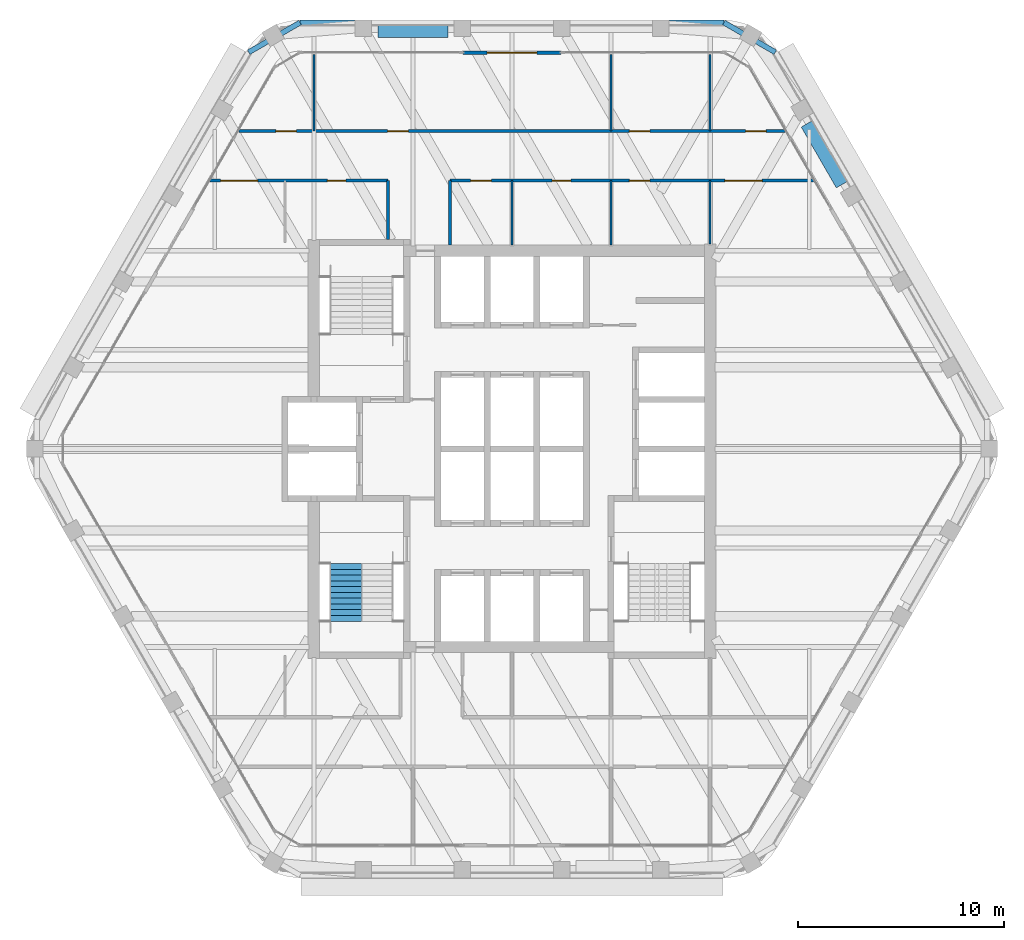
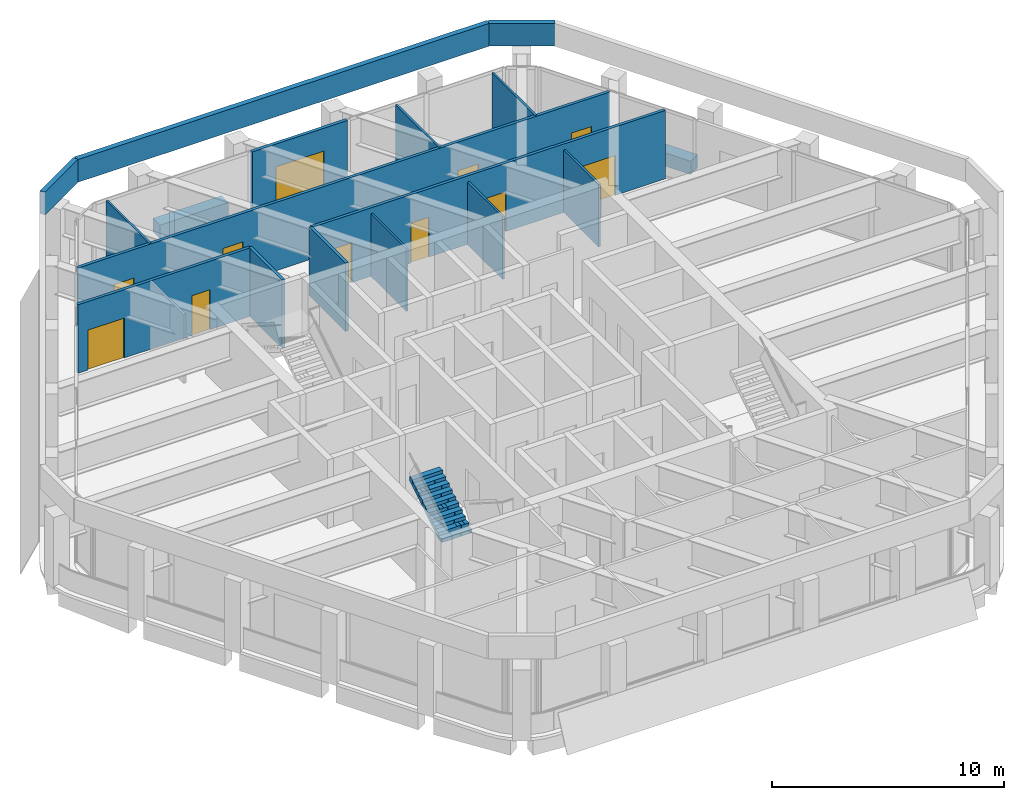
# One storey, part 10 of 14: 17 walls, 11 doors, 1 stair flight, 11 openings, 1 element without a shape of its own.
"""IFC4 building model written with IfcOpenShell, lengths in metres."""

from ifc_helpers import new_model, si_unit, direction, frame, frame_2d, origin, place, context, subcontext, project, spatial, polyline, rectangle, outline, extrude, material, layer, layer_set, type_object, element, fill, aggregate, save


model = new_model("IFC4")

# Units and contexts
model_context = context("Model", 3, precision=1e-05, world=origin(), true_north=direction((0.0, 1.0)))
body_context = subcontext(model_context, "Body", "Model", "MODEL_VIEW")
ifc_project = project(units=[si_unit("LENGTHUNIT", "METRE"), si_unit("AREAUNIT", "SQUARE_METRE"), si_unit("VOLUMEUNIT", "CUBIC_METRE"), si_unit("PLANEANGLEUNIT", "RADIAN"), si_unit("MASSUNIT", "GRAM", prefix="KILO")], contexts=[model_context])

# Site, building, storey
site_placement = place(None, origin())
site = spatial("IfcSite", under=ifc_project, at=site_placement, CompositionType="ELEMENT")
building_placement = place(site_placement, origin())
building = spatial("IfcBuilding", under=site, at=building_placement, Name="Kolab Exchange Tower", CompositionType="ELEMENT")
storey_placement = place(building_placement, frame((0.0, 0.0, 293.0)))
storey = spatial("IfcBuildingStorey", under=building, at=storey_placement, Name="L66", CompositionType="ELEMENT", Elevation=293.0)

# Wall, opening, door
ifc_material_1 = material(Name="Aluminium EN AW-6063 T6", Category="aluminium")
ifc_layer_1 = layer(ifc_material_1, 0.159912109375)
ifc_layer_set_1 = layer_set([ifc_layer_1], Name="Aluminium EN AW-6063 T6")
wall_type_1 = type_object("IfcWallType", Name="DOOR SURROUND WALL 160 ALUMINIUM FRAMED", PredefinedType="PARTITIONING", material=ifc_layer_set_1)
wall_1_placement = place(storey_placement, frame((-2.3701171875, 19.20458984375, 0.0), z_axis=(0.0, 0.0, 1.0), x_axis=(1.0, 0.0, 0.0)))
wall_1 = element("IfcWall", 1, at=wall_1_placement, inside=storey, type_object=wall_type_1, Name="Door surround wall", PredefinedType="PARTITIONING", context=body_context, shape_type="SweptSolid", body=[
    extrude(rectangle(XDim=4.740234375, YDim=0.159912109375, at=frame_2d((2.3701171875, 0.0))), origin(), (0.0, 0.0, 1.0), 3.60009765625),
])
opening_1_placement = place(wall_1_placement, frame((1.169921875, 0.0, 0.0)))
opening_1 = element("IfcOpeningElement", 2, at=opening_1_placement, cuts=wall_1, Name="Opening GD1-098", PredefinedType="OPENING", context=body_context, shape_type="SweptSolid", body=[
    extrude(rectangle(XDim=2.39990234375, YDim=2.39990234375, at=frame_2d((1.199951171875, 1.199951171875))), frame((0.0, 0.08984375, 0.0), z_axis=(0.0, -1.0, 0.0), x_axis=(1.0, 0.0, 0.0)), (0.0, 0.0, 1.0), 0.179931640625),
])
door_type_1 = type_object("IfcDoorType", Name="LOGGIA SLIDING GLASS DOOR 2400 X 2400", OperationType="DOUBLE_DOOR_SINGLE_SWING", PredefinedType="DOOR", material=ifc_material_1)
door_1_placement = place(opening_1_placement, origin())
door_1 = element("IfcDoor", 3, at=door_1_placement, inside=storey, type_object=door_type_1, Name="Loggia door", OperationType="DOUBLE_DOOR_SLIDING", OverallHeight=2.39990234375, OverallWidth=2.39990234375, PredefinedType="DOOR", context=body_context, shape_type="SweptSolid", body=[
    extrude(rectangle(XDim=2.39990234375, YDim=2.39990234375, at=frame_2d((1.199951171875, 1.199951171875))), frame((0.0, 0.02490234375, 0.0), z_axis=(0.0, -1.0, 0.0), x_axis=(1.0, 0.0, 0.0)), (0.0, 0.0, 1.0), 0.050048828125),
])
fill(opening_1, door_1)

# Walls
ifc_material_2 = material(Name="Gypsum board", Category="gypsum")
ifc_layer_2 = layer(ifc_material_2, 0.10009765625)
ifc_layer_set_2 = layer_set([ifc_layer_2], Name="Gypsum board")
wall_type_2 = type_object("IfcWallType", Name="PARTITION 100", PredefinedType="PARTITIONING", material=ifc_layer_set_2)
wall_2_placement = place(storey_placement, frame((9.60009765625, 9.925048828125, 0.0), z_axis=(0.0, 0.0, 1.0), x_axis=(0.0, 1.0, 0.0)))
element("IfcWall", 4, at=wall_2_placement, inside=storey, type_object=wall_type_2, Name="Partition 002", PredefinedType="PARTITIONING", context=body_context, shape_type="SweptSolid", body=[
    extrude(rectangle(XDim=3.074951171875, YDim=0.10009765625, at=frame_2d((1.53759765625, 0.0))), origin(), (0.0, 0.0, 1.0), 3.2900390625),
])
wall_3_placement = place(storey_placement, frame((9.60009765625, 15.39990234375, 0.0), z_axis=(0.0, 0.0, 1.0), x_axis=(0.0, 1.0, 0.0)))
element("IfcWall", 5, at=wall_3_placement, inside=storey, type_object=wall_type_2, Name="Partition 003", PredefinedType="PARTITIONING", context=body_context, shape_type="SweptSolid", body=[
    extrude(rectangle(XDim=3.714599609375, YDim=0.10009765625, at=frame_2d((1.857421875, 0.0))), origin(), (0.0, 0.0, 1.0), 3.60009765625),
])
wall_4_placement = place(storey_placement, frame((4.800048828125, 9.875, 0.0), z_axis=(0.0, 0.0, 1.0), x_axis=(0.0, 1.0, 0.0)))
element("IfcWall", 6, at=wall_4_placement, inside=storey, type_object=wall_type_2, Name="Partition 006", PredefinedType="PARTITIONING", context=body_context, shape_type="SweptSolid", body=[
    extrude(rectangle(XDim=3.125, YDim=0.10009765625, at=frame_2d((1.5625, 0.0))), origin(), (0.0, 0.0, 1.0), 3.2900390625),
])
wall_5_placement = place(storey_placement, frame((4.800048828125, 15.39990234375, 0.0), z_axis=(0.0, 0.0, 1.0), x_axis=(0.0, 1.0, 0.0)))
element("IfcWall", 7, at=wall_5_placement, inside=storey, type_object=wall_type_2, Name="Partition 007", PredefinedType="PARTITIONING", context=body_context, shape_type="SweptSolid", body=[
    extrude(rectangle(XDim=3.714599609375, YDim=0.10009765625, at=frame_2d((1.857421875, 0.0))), origin(), (0.0, 0.0, 1.0), 3.60009765625),
])
wall_6_placement = place(storey_placement, frame((0.0, 9.875, 0.0), z_axis=(0.0, 0.0, 1.0), x_axis=(0.0, 1.0, 0.0)))
element("IfcWall", 8, at=wall_6_placement, inside=storey, type_object=wall_type_2, Name="Partition 009", PredefinedType="PARTITIONING", context=body_context, shape_type="SweptSolid", body=[
    extrude(rectangle(XDim=3.125, YDim=0.10009765625, at=frame_2d((1.5625, 0.0))), origin(), (0.0, 0.0, 1.0), 3.2900390625),
])
wall_7_placement = place(storey_placement, frame((-9.60009765625, 15.39990234375, 0.0), z_axis=(0.0, 0.0, 1.0), x_axis=(0.0, 1.0, 0.0)))
element("IfcWall", 9, at=wall_7_placement, inside=storey, type_object=wall_type_2, Name="Partition 015", PredefinedType="PARTITIONING", context=body_context, shape_type="SweptSolid", body=[
    extrude(rectangle(XDim=3.714599609375, YDim=0.10009765625, at=frame_2d((1.857421875, 0.0))), origin(), (0.0, 0.0, 1.0), 3.60009765625),
])
ifc_layer_3 = layer(ifc_material_2, 0.14990234375)
ifc_layer_set_3 = layer_set([ifc_layer_3], Name="Gypsum board")
wall_type_3 = type_object("IfcWallType", Name="PARTITION 150 FIRE-RATED", PredefinedType="PARTITIONING", material=ifc_layer_set_3)
wall_8_placement = place(storey_placement, frame((-3.0, 9.875, 0.0), z_axis=(0.0, 0.0, 1.0), x_axis=(0.0, 1.0, 0.0)))
element("IfcWall", 10, at=wall_8_placement, inside=storey, type_object=wall_type_3, Name="Partition 011", PredefinedType="PARTITIONING", context=body_context, shape_type="SweptSolid", body=[
    extrude(rectangle(XDim=3.125, YDim=0.14990234375, at=frame_2d((1.5625, 0.0))), origin(), (0.0, 0.0, 1.0), 3.60009765625),
])
wall_9_placement = place(storey_placement, frame((-6.0, 10.14990234375, 0.0), z_axis=(0.0, 0.0, 1.0), x_axis=(0.0, 1.0, 0.0)))
element("IfcWall", 11, at=wall_9_placement, inside=storey, type_object=wall_type_3, Name="Partition 014", PredefinedType="PARTITIONING", context=body_context, shape_type="SweptSolid", body=[
    extrude(rectangle(XDim=2.85009765625, YDim=0.14990234375, at=frame_2d((1.425048828125, 0.0))), origin(), (0.0, 0.0, 1.0), 3.60009765625),
])

# Wall, openings, doors
wall_10_placement = place(storey_placement, frame((-14.623779296875, 13.0, 0.0), z_axis=(0.0, 0.0, 1.0), x_axis=(1.0, 0.0, 0.0)))
wall_10 = element("IfcWall", 12, at=wall_10_placement, inside=storey, type_object=wall_type_3, Name="Partition 023", PredefinedType="PARTITIONING", context=body_context, shape_type="SweptSolid", body=[
    extrude(rectangle(XDim=8.623779296875, YDim=0.14990234375, at=frame_2d((4.31201171875, 0.0))), origin(), (0.0, 0.0, 1.0), 3.60009765625),
])
opening_2_placement = place(wall_10_placement, frame((5.673828125, 0.0, 0.0)))
opening_2 = element("IfcOpeningElement", 13, at=opening_2_placement, cuts=wall_10, Name="Opening D3-096", PredefinedType="OPENING", context=body_context, shape_type="SweptSolid", body=[
    extrude(rectangle(XDim=0.89990234375, YDim=2.10009765625, at=frame_2d((0.449951171875, 1.050048828125))), frame((0.0, 0.0849609375, 0.0), z_axis=(0.0, -1.0, 0.0), x_axis=(1.0, 0.0, 0.0)), (0.0, 0.0, 1.0), 0.169921875),
])
opening_3_placement = place(wall_10_placement, frame((0.501953125, 0.0, 0.0)))
opening_3 = element("IfcOpeningElement", 14, at=opening_3_placement, cuts=wall_10, Name="Opening D2-081", PredefinedType="OPENING", context=body_context, shape_type="SweptSolid", body=[
    extrude(rectangle(XDim=1.800048828125, YDim=2.10009765625, at=frame_2d((0.89990234375, 1.050048828125))), frame((0.0, 0.0849609375, 0.0), z_axis=(0.0, -1.0, 0.0), x_axis=(1.0, 0.0, 0.0)), (0.0, 0.0, 1.0), 0.169921875),
])
ifc_material_3 = material(Name="Steel S235", Category="steel")
door_type_2 = type_object("IfcDoorType", Name="DOUBLE DOOR 1800 FD60", OperationType="DOUBLE_DOOR_SINGLE_SWING", PredefinedType="DOOR", material=ifc_material_3)
door_2_placement = place(opening_3_placement, frame((1.800048828125, 0.0, 0.0), z_axis=(0.0, 0.0, 1.0), x_axis=(-1.0, 0.0, 0.0)))
door_2 = element("IfcDoor", 15, at=door_2_placement, inside=storey, type_object=door_type_2, Name="Door L66-048", OperationType="SINGLE_SWING_LEFT", OverallHeight=2.10009765625, OverallWidth=1.800048828125, PredefinedType="DOOR", context=body_context, shape_type="SweptSolid", body=[
    extrude(rectangle(XDim=1.800048828125, YDim=2.10009765625, at=frame_2d((0.89990234375, 1.050048828125))), frame((0.0, 0.02490234375, 0.0), z_axis=(0.0, -1.0, 0.0), x_axis=(1.0, 0.0, 0.0)), (0.0, 0.0, 1.0), 0.050048828125),
])
fill(opening_3, door_2)
door_type_3 = type_object("IfcDoorType", Name="FLUSH DOOR 900 FD60", OperationType="SINGLE_SWING_LEFT", PredefinedType="DOOR", material=ifc_material_3)
door_3_placement = place(opening_2_placement, frame((0.89990234375, 0.0, 0.0), z_axis=(0.0, 0.0, 1.0), x_axis=(-1.0, 0.0, 0.0)))
door_3 = element("IfcDoor", 16, at=door_3_placement, inside=storey, type_object=door_type_3, Name="Door L66-034", OperationType="SINGLE_SWING_LEFT", OverallHeight=2.10009765625, OverallWidth=0.89990234375, PredefinedType="DOOR", context=body_context, shape_type="SweptSolid", body=[
    extrude(rectangle(XDim=0.89990234375, YDim=2.10009765625, at=frame_2d((0.449951171875, 1.050048828125))), frame((0.0, 0.02490234375, 0.0), z_axis=(0.0, -1.0, 0.0), x_axis=(1.0, 0.0, 0.0)), (0.0, 0.0, 1.0), 0.050048828125),
])
fill(opening_2, door_3)

wall_11_placement = place(storey_placement, frame((-3.0, 13.0, 0.0), z_axis=(0.0, 0.0, 1.0), x_axis=(1.0, 0.0, 0.0)))
wall_11 = element("IfcWall", 17, at=wall_11_placement, inside=storey, type_object=wall_type_3, Name="Partition 024", PredefinedType="PARTITIONING", context=body_context, shape_type="SweptSolid", body=[
    extrude(rectangle(XDim=17.623779296875, YDim=0.14990234375, at=frame_2d((8.81201171875, 0.0))), origin(), (0.0, 0.0, 1.0), 3.60009765625),
])
opening_4_placement = place(wall_11_placement, frame((1.0, 0.0, 0.0)))
opening_4 = element("IfcOpeningElement", 18, at=opening_4_placement, cuts=wall_11, Name="Opening D1-767", PredefinedType="OPENING", context=body_context, shape_type="SweptSolid", body=[
    extrude(rectangle(XDim=1.0, YDim=2.10009765625, at=frame_2d((0.5, 1.050048828125))), frame((0.0, 0.0849609375, 0.0), z_axis=(0.0, -1.0, 0.0), x_axis=(1.0, 0.0, 0.0)), (0.0, 0.0, 1.0), 0.169921875),
])
opening_5_placement = place(wall_11_placement, frame((4.949951171875, 0.0, 0.0)))
opening_5 = element("IfcOpeningElement", 19, at=opening_5_placement, cuts=wall_11, Name="Opening D3-095", PredefinedType="OPENING", context=body_context, shape_type="SweptSolid", body=[
    extrude(rectangle(XDim=0.89990234375, YDim=2.10009765625, at=frame_2d((0.449951171875, 1.050048828125))), frame((0.0, 0.0849609375, 0.0), z_axis=(0.0, -1.0, 0.0), x_axis=(1.0, 0.0, 0.0)), (0.0, 0.0, 1.0), 0.169921875),
])
opening_6_placement = place(wall_11_placement, frame((8.68505859375, 0.0, 0.0)))
opening_6 = element("IfcOpeningElement", 20, at=opening_6_placement, cuts=wall_11, Name="Opening D1-768", PredefinedType="OPENING", context=body_context, shape_type="SweptSolid", body=[
    extrude(rectangle(XDim=1.0, YDim=2.10009765625, at=frame_2d((0.5, 1.050048828125))), frame((0.0, 0.0849609375, 0.0), z_axis=(0.0, -1.0, 0.0), x_axis=(1.0, 0.0, 0.0)), (0.0, 0.0, 1.0), 0.169921875),
])
opening_7_placement = place(wall_11_placement, frame((13.314453125, 0.0, 0.0)))
opening_7 = element("IfcOpeningElement", 21, at=opening_7_placement, cuts=wall_11, Name="Opening D2-080", PredefinedType="OPENING", context=body_context, shape_type="SweptSolid", body=[
    extrude(rectangle(XDim=1.800048828125, YDim=2.10009765625, at=frame_2d((0.89990234375, 1.050048828125))), frame((0.0, 0.0849609375, 0.0), z_axis=(0.0, -1.0, 0.0), x_axis=(1.0, 0.0, 0.0)), (0.0, 0.0, 1.0), 0.169921875),
])
door_4_placement = place(opening_7_placement, frame((1.800048828125, 0.0, 0.0), z_axis=(0.0, 0.0, 1.0), x_axis=(-1.0, 0.0, 0.0)))
door_4 = element("IfcDoor", 22, at=door_4_placement, inside=storey, type_object=door_type_2, Name="Door L66-047", OperationType="SINGLE_SWING_LEFT", OverallHeight=2.10009765625, OverallWidth=1.800048828125, PredefinedType="DOOR", context=body_context, shape_type="SweptSolid", body=[
    extrude(rectangle(XDim=1.800048828125, YDim=2.10009765625, at=frame_2d((0.89990234375, 1.050048828125))), frame((0.0, 0.02490234375, 0.0), z_axis=(0.0, -1.0, 0.0), x_axis=(1.0, 0.0, 0.0)), (0.0, 0.0, 1.0), 0.050048828125),
])
fill(opening_7, door_4)
door_type_4 = type_object("IfcDoorType", Name="FLUSH DOOR 1000 FD60", OperationType="SINGLE_SWING_LEFT", PredefinedType="DOOR", material=ifc_material_3)
door_5_placement = place(opening_4_placement, frame((1.0, 0.0, 0.0), z_axis=(0.0, 0.0, 1.0), x_axis=(-1.0, 0.0, 0.0)))
door_5 = element("IfcDoor", 23, at=door_5_placement, inside=storey, type_object=door_type_4, Name="Door L66-031", OperationType="SINGLE_SWING_LEFT", OverallHeight=2.10009765625, OverallWidth=1.0, PredefinedType="DOOR", context=body_context, shape_type="SweptSolid", body=[
    extrude(rectangle(XDim=1.0, YDim=2.10009765625, at=frame_2d((0.5, 1.050048828125))), frame((0.0, 0.02490234375, 0.0), z_axis=(0.0, -1.0, 0.0), x_axis=(1.0, 0.0, 0.0)), (0.0, 0.0, 1.0), 0.050048828125),
])
fill(opening_4, door_5)
door_6_placement = place(opening_6_placement, frame((1.0, 0.0, 0.0), z_axis=(0.0, 0.0, 1.0), x_axis=(-1.0, 0.0, 0.0)))
door_6 = element("IfcDoor", 24, at=door_6_placement, inside=storey, type_object=door_type_4, Name="Door L66-033", OperationType="SINGLE_SWING_LEFT", OverallHeight=2.10009765625, OverallWidth=1.0, PredefinedType="DOOR", context=body_context, shape_type="SweptSolid", body=[
    extrude(rectangle(XDim=1.0, YDim=2.10009765625, at=frame_2d((0.5, 1.050048828125))), frame((0.0, 0.02490234375, 0.0), z_axis=(0.0, -1.0, 0.0), x_axis=(1.0, 0.0, 0.0)), (0.0, 0.0, 1.0), 0.050048828125),
])
fill(opening_6, door_6)
door_7_placement = place(opening_5_placement, frame((0.89990234375, 0.0, 0.0), z_axis=(0.0, 0.0, 1.0), x_axis=(-1.0, 0.0, 0.0)))
door_7 = element("IfcDoor", 25, at=door_7_placement, inside=storey, type_object=door_type_3, Name="Door L66-032", OperationType="SINGLE_SWING_RIGHT", OverallHeight=2.10009765625, OverallWidth=0.89990234375, PredefinedType="DOOR", context=body_context, shape_type="SweptSolid", body=[
    extrude(rectangle(XDim=0.89990234375, YDim=2.10009765625, at=frame_2d((0.449951171875, 1.050048828125))), frame((0.0, 0.02490234375, 0.0), z_axis=(0.0, -1.0, 0.0), x_axis=(1.0, 0.0, 0.0)), (0.0, 0.0, 1.0), 0.050048828125),
])
fill(opening_5, door_7)

wall_12_placement = place(storey_placement, frame((-13.23828125, 15.39990234375, 0.0), z_axis=(0.0, 0.0, 1.0), x_axis=(1.0, 0.0, 0.0)))
wall_12 = element("IfcWall", 26, at=wall_12_placement, inside=storey, type_object=wall_type_3, Name="Partition 025", PredefinedType="PARTITIONING", context=body_context, shape_type="SweptSolid", body=[
    extrude(rectangle(XDim=26.4765625, YDim=0.14990234375, at=frame_2d((13.23828125, 0.0))), origin(), (0.0, 0.0, 1.0), 3.60009765625),
])
opening_8_placement = place(wall_12_placement, frame((1.7939453125, 0.0, 0.0)))
opening_8 = element("IfcOpeningElement", 27, at=opening_8_placement, cuts=wall_12, Name="Opening D1-773", PredefinedType="OPENING", context=body_context, shape_type="SweptSolid", body=[
    extrude(rectangle(XDim=1.0, YDim=2.10009765625, at=frame_2d((0.5, 1.050048828125))), frame((0.0, 0.0849609375, 0.0), z_axis=(0.0, -1.0, 0.0), x_axis=(1.0, 0.0, 0.0)), (0.0, 0.0, 1.0), 0.169921875),
])
opening_9_placement = place(wall_12_placement, frame((7.213134765625, 0.0, 0.0)))
opening_9 = element("IfcOpeningElement", 28, at=opening_9_placement, cuts=wall_12, Name="Opening D1-774", PredefinedType="OPENING", context=body_context, shape_type="SweptSolid", body=[
    extrude(rectangle(XDim=1.0, YDim=2.10009765625, at=frame_2d((0.5, 1.050048828125))), frame((0.0, 0.0849609375, 0.0), z_axis=(0.0, -1.0, 0.0), x_axis=(1.0, 0.0, 0.0)), (0.0, 0.0, 1.0), 0.169921875),
])
opening_10_placement = place(wall_12_placement, frame((18.923095703125, 0.0, 0.0)))
opening_10 = element("IfcOpeningElement", 29, at=opening_10_placement, cuts=wall_12, Name="Opening D1-775", PredefinedType="OPENING", context=body_context, shape_type="SweptSolid", body=[
    extrude(rectangle(XDim=1.0, YDim=2.10009765625, at=frame_2d((0.5, 1.050048828125))), frame((0.0, 0.0849609375, 0.0), z_axis=(0.0, -1.0, 0.0), x_axis=(1.0, 0.0, 0.0)), (0.0, 0.0, 1.0), 0.169921875),
])
opening_11_placement = place(wall_12_placement, frame((24.552978515625, 0.0, 0.0)))
opening_11 = element("IfcOpeningElement", 30, at=opening_11_placement, cuts=wall_12, Name="Opening D1-776", PredefinedType="OPENING", context=body_context, shape_type="SweptSolid", body=[
    extrude(rectangle(XDim=1.0, YDim=2.10009765625, at=frame_2d((0.5, 1.050048828125))), frame((0.0, 0.0849609375, 0.0), z_axis=(0.0, -1.0, 0.0), x_axis=(1.0, 0.0, 0.0)), (0.0, 0.0, 1.0), 0.169921875),
])
door_8_placement = place(opening_8_placement, origin())
door_8 = element("IfcDoor", 31, at=door_8_placement, inside=storey, type_object=door_type_4, Name="Door L66-039", OperationType="SINGLE_SWING_RIGHT", OverallHeight=2.10009765625, OverallWidth=1.0, PredefinedType="DOOR", context=body_context, shape_type="SweptSolid", body=[
    extrude(rectangle(XDim=1.0, YDim=2.10009765625, at=frame_2d((0.5, 1.050048828125))), frame((0.0, 0.02490234375, 0.0), z_axis=(0.0, -1.0, 0.0), x_axis=(1.0, 0.0, 0.0)), (0.0, 0.0, 1.0), 0.050048828125),
])
fill(opening_8, door_8)
door_9_placement = place(opening_9_placement, origin())
door_9 = element("IfcDoor", 32, at=door_9_placement, inside=storey, type_object=door_type_4, Name="Door L66-040", OperationType="SINGLE_SWING_LEFT", OverallHeight=2.10009765625, OverallWidth=1.0, PredefinedType="DOOR", context=body_context, shape_type="SweptSolid", body=[
    extrude(rectangle(XDim=1.0, YDim=2.10009765625, at=frame_2d((0.5, 1.050048828125))), frame((0.0, 0.02490234375, 0.0), z_axis=(0.0, -1.0, 0.0), x_axis=(1.0, 0.0, 0.0)), (0.0, 0.0, 1.0), 0.050048828125),
])
fill(opening_9, door_9)
door_10_placement = place(opening_10_placement, origin())
door_10 = element("IfcDoor", 33, at=door_10_placement, inside=storey, type_object=door_type_4, Name="Door L66-041", OperationType="SINGLE_SWING_LEFT", OverallHeight=2.10009765625, OverallWidth=1.0, PredefinedType="DOOR", context=body_context, shape_type="SweptSolid", body=[
    extrude(rectangle(XDim=1.0, YDim=2.10009765625, at=frame_2d((0.5, 1.050048828125))), frame((0.0, 0.02490234375, 0.0), z_axis=(0.0, -1.0, 0.0), x_axis=(1.0, 0.0, 0.0)), (0.0, 0.0, 1.0), 0.050048828125),
])
fill(opening_10, door_10)
door_11_placement = place(opening_11_placement, origin())
door_11 = element("IfcDoor", 34, at=door_11_placement, inside=storey, type_object=door_type_4, Name="Door L66-042", OperationType="SINGLE_SWING_RIGHT", OverallHeight=2.10009765625, OverallWidth=1.0, PredefinedType="DOOR", context=body_context, shape_type="SweptSolid", body=[
    extrude(rectangle(XDim=1.0, YDim=2.10009765625, at=frame_2d((0.5, 1.050048828125))), frame((0.0, 0.02490234375, 0.0), z_axis=(0.0, -1.0, 0.0), x_axis=(1.0, 0.0, 0.0)), (0.0, 0.0, 1.0), 0.050048828125),
])
fill(opening_11, door_11)

# Walls
ifc_material_4 = material(Name="Granite facing", Category="masonry")
ifc_layer_4 = layer(ifc_material_4, 0.0400390625)
ifc_material_5 = material(Name="Concrete C40/50 precast", Category="concrete")
ifc_layer_5 = layer(ifc_material_5, 0.56005859375)
ifc_layer_set_4 = layer_set([ifc_layer_4, ifc_layer_5], Name="Concrete C40/50 precast")
wall_type_4 = type_object("IfcWallType", Name="PLANTER BOX 600 X 700 SOIL DEPTH 550", PredefinedType="USERDEFINED", material=ifc_layer_set_4)
wall_13_placement = place(storey_placement, frame((-6.5, 20.235107421875, 0.0), z_axis=(0.0, 0.0, 1.0), x_axis=(1.0, 0.0, 0.0)))
element("IfcWall", 35, at=wall_13_placement, inside=storey, type_object=wall_type_4, Name="Planter", ObjectType="PLANTER", PredefinedType="USERDEFINED", context=body_context, shape_type="SweptSolid", body=[
    extrude(rectangle(XDim=3.39990234375, YDim=0.60009765625, at=frame_2d((1.699951171875, 0.0))), origin(), (0.0, 0.0, 1.0), 0.699951171875),
])
wall_14_placement = place(storey_placement, frame((14.274169921875, 15.746826171875, 0.0), z_axis=(0.0, 0.0, 1.0), x_axis=(0.499977295307, -0.866038511948, 0.0)))
element("IfcWall", 36, at=wall_14_placement, inside=storey, type_object=wall_type_4, Name="Planter", ObjectType="PLANTER", PredefinedType="USERDEFINED", context=body_context, shape_type="SweptSolid", body=[
    extrude(rectangle(XDim=3.400146484375, YDim=0.60009765625, at=frame_2d((1.7001953125, 0.0))), origin(), (0.0, 0.0, 1.0), 0.699951171875),
])
ifc_layer_6 = layer(ifc_material_4, 0.0400390625)
ifc_layer_7 = layer(ifc_material_5, 0.2099609375)
ifc_layer_set_5 = layer_set([ifc_layer_6, ifc_layer_7], Name="Concrete C40/50 precast")
wall_type_5 = type_object("IfcWallType", Name="ROOF PARAPET 250", PredefinedType="PARAPET", material=ifc_layer_set_5)
wall_15_placement = place(storey_placement, frame((-10.26806640625, 20.65966796875, 3.89990234375), z_axis=(0.0, 0.0, 1.0), x_axis=(1.0, 0.0, 0.0)))
element("IfcWall", 37, at=wall_15_placement, inside=storey, type_object=wall_type_5, Name="Roof parapet", PredefinedType="PARAPET", context=body_context, shape_type="SweptSolid", body=[
    extrude(rectangle(XDim=20.5361328125, YDim=0.25, at=frame_2d((10.26806640625, 0.0))), origin(), (0.0, 0.0, 1.0), 1.2001953125),
])
for number, where, z_axis, x_axis, name in (
    (38, (10.26806640625, 20.65966796875, 3.89990234375), (0.0, 0.0, 1.0), (0.866018712932, -0.500011588718, 0.0), "Roof parapet"),
    (39, (-12.7578125, 19.22216796875, 3.89990234375), (0.0, 0.0, 1.0), (0.866018712932, 0.500011588718, 0.0), "Roof parapet"),
):
    element("IfcWall", number, at=place(storey_placement, frame(where, z_axis=z_axis, x_axis=x_axis)), inside=storey, type_object=wall_type_5, Name=name, PredefinedType="PARAPET", context=body_context, shape_type="SweptSolid", body=[
        extrude(rectangle(XDim=2.875, YDim=0.25, at=frame_2d((1.4375, 0.0))), origin(), (0.0, 0.0, 1.0), 1.2001953125),
    ])

# Stair, stair flight
ifc_material_6 = material(Name="Concrete C50/60", Category="concrete")
stair_type = type_object("IfcStairType", Name="STAIR ST3 RISER 177.3", PredefinedType="HALF_TURN_STAIR", material=ifc_material_6)
stair_placement = place(storey_placement, origin())
stair = element("IfcStair", 40, at=stair_placement, inside=storey, type_object=stair_type, Name="Stair 3", PredefinedType="HALF_TURN_STAIR")
stair_flight_type = type_object("IfcStairFlightType", Name="STAIR FLIGHT 1500 RISER 177.3", PredefinedType="STRAIGHT", material=ifc_material_6)
stair_flight_placement = place(storey_placement, frame((-8.047607421875, -8.35009765625, 1.949951171875), z_axis=(0.0, 0.0, 1.0), x_axis=(0.0, 1.0, 0.0)))
stair_flight = element("IfcStairFlight", 41, at=stair_flight_placement, type_object=stair_flight_type, Name="ST3 flight 2", NumberOfRisers=11, NumberOfTreads=10, PredefinedType="STRAIGHT", RiserHeight=0.177272727, TreadLength=0.28, context=body_context, shape_type="SweptSolid", body=[
    extrude(outline(polyline([(0.0, 0.0), (0.0, 0.17724609375), (0.280029296875, 0.17724609375), (0.280029296875, 0.3544921875), (0.56005859375, 0.3544921875), (0.56005859375, 0.53173828125), (0.840087890625, 0.53173828125), (0.840087890625, 0.708984375), (1.1201171875, 0.708984375), (1.1201171875, 0.886474609375), (1.39990234375, 0.886474609375), (1.39990234375, 1.063720703125), (1.679931640625, 1.063720703125), (1.679931640625, 1.240966796875), (1.9599609375, 1.240966796875), (1.9599609375, 1.418212890625), (2.239990234375, 1.418212890625), (2.239990234375, 1.595458984375), (2.52001953125, 1.595458984375), (2.52001953125, 1.772705078125), (2.800048828125, 1.772705078125), (2.800048828125, 1.949951171875), (2.800048828125, 1.59521484375), (0.2802734375, 0.0), (0.0, 0.0)])), frame((0.0, 0.75, 0.0), z_axis=(0.0, -1.0, 0.0), x_axis=(1.0, 0.0, 0.0)), (0.0, 0.0, 1.0), 0.185791015625),
    extrude(outline(polyline([(0.0, 0.0), (0.0, 0.17724609375), (0.280029296875, 0.17724609375), (0.280029296875, 0.3544921875), (0.56005859375, 0.3544921875), (0.56005859375, 0.53173828125), (0.840087890625, 0.53173828125), (0.840087890625, 0.708984375), (1.1201171875, 0.708984375), (1.1201171875, 0.886474609375), (1.39990234375, 0.886474609375), (1.39990234375, 1.063720703125), (1.679931640625, 1.063720703125), (1.679931640625, 1.240966796875), (1.9599609375, 1.240966796875), (1.9599609375, 1.418212890625), (2.239990234375, 1.418212890625), (2.239990234375, 1.595458984375), (2.52001953125, 1.595458984375), (2.52001953125, 1.772705078125), (2.800048828125, 1.772705078125), (2.800048828125, 1.949951171875), (2.800048828125, 1.59521484375), (0.2802734375, 0.0), (0.0, 0.0)])), frame((0.0, 0.562255859375, 0.0), z_axis=(0.0, -1.0, 0.0), x_axis=(1.0, 0.0, 0.0)), (0.0, 0.0, 1.0), 0.185791015625),
    extrude(outline(polyline([(0.0, 0.0), (0.0, 0.17724609375), (0.280029296875, 0.17724609375), (0.280029296875, 0.3544921875), (0.56005859375, 0.3544921875), (0.56005859375, 0.53173828125), (0.840087890625, 0.53173828125), (0.840087890625, 0.708984375), (1.1201171875, 0.708984375), (1.1201171875, 0.886474609375), (1.39990234375, 0.886474609375), (1.39990234375, 1.063720703125), (1.679931640625, 1.063720703125), (1.679931640625, 1.240966796875), (1.9599609375, 1.240966796875), (1.9599609375, 1.418212890625), (2.239990234375, 1.418212890625), (2.239990234375, 1.595458984375), (2.52001953125, 1.595458984375), (2.52001953125, 1.772705078125), (2.800048828125, 1.772705078125), (2.800048828125, 1.949951171875), (2.800048828125, 1.59521484375), (0.2802734375, 0.0), (0.0, 0.0)])), frame((0.0, 0.37451171875, 0.0), z_axis=(0.0, -1.0, 0.0), x_axis=(1.0, 0.0, 0.0)), (0.0, 0.0, 1.0), 0.185791015625),
    extrude(outline(polyline([(0.0, 0.0), (0.0, 0.17724609375), (0.280029296875, 0.17724609375), (0.280029296875, 0.3544921875), (0.56005859375, 0.3544921875), (0.56005859375, 0.53173828125), (0.840087890625, 0.53173828125), (0.840087890625, 0.708984375), (1.1201171875, 0.708984375), (1.1201171875, 0.886474609375), (1.39990234375, 0.886474609375), (1.39990234375, 1.063720703125), (1.679931640625, 1.063720703125), (1.679931640625, 1.240966796875), (1.9599609375, 1.240966796875), (1.9599609375, 1.418212890625), (2.239990234375, 1.418212890625), (2.239990234375, 1.595458984375), (2.52001953125, 1.595458984375), (2.52001953125, 1.772705078125), (2.800048828125, 1.772705078125), (2.800048828125, 1.949951171875), (2.800048828125, 1.59521484375), (0.2802734375, 0.0), (0.0, 0.0)])), frame((0.0, 0.186767578125, 0.0), z_axis=(0.0, -1.0, 0.0), x_axis=(1.0, 0.0, 0.0)), (0.0, 0.0, 1.0), 0.185791015625),
    extrude(outline(polyline([(0.0, 0.0), (0.0, 0.17724609375), (0.280029296875, 0.17724609375), (0.280029296875, 0.3544921875), (0.56005859375, 0.3544921875), (0.56005859375, 0.53173828125), (0.840087890625, 0.53173828125), (0.840087890625, 0.708984375), (1.1201171875, 0.708984375), (1.1201171875, 0.886474609375), (1.39990234375, 0.886474609375), (1.39990234375, 1.063720703125), (1.679931640625, 1.063720703125), (1.679931640625, 1.240966796875), (1.9599609375, 1.240966796875), (1.9599609375, 1.418212890625), (2.239990234375, 1.418212890625), (2.239990234375, 1.595458984375), (2.52001953125, 1.595458984375), (2.52001953125, 1.772705078125), (2.800048828125, 1.772705078125), (2.800048828125, 1.949951171875), (2.800048828125, 1.59521484375), (0.2802734375, 0.0), (0.0, 0.0)])), frame((0.0, -0.0009765625, 0.0), z_axis=(0.0, -1.0, 0.0), x_axis=(1.0, 0.0, 0.0)), (0.0, 0.0, 1.0), 0.185791015625),
    extrude(outline(polyline([(0.0, 0.0), (0.0, 0.17724609375), (0.280029296875, 0.17724609375), (0.280029296875, 0.3544921875), (0.56005859375, 0.3544921875), (0.56005859375, 0.53173828125), (0.840087890625, 0.53173828125), (0.840087890625, 0.708984375), (1.1201171875, 0.708984375), (1.1201171875, 0.886474609375), (1.39990234375, 0.886474609375), (1.39990234375, 1.063720703125), (1.679931640625, 1.063720703125), (1.679931640625, 1.240966796875), (1.9599609375, 1.240966796875), (1.9599609375, 1.418212890625), (2.239990234375, 1.418212890625), (2.239990234375, 1.595458984375), (2.52001953125, 1.595458984375), (2.52001953125, 1.772705078125), (2.800048828125, 1.772705078125), (2.800048828125, 1.949951171875), (2.800048828125, 1.59521484375), (0.2802734375, 0.0), (0.0, 0.0)])), frame((0.0, -0.188720703125, 0.0), z_axis=(0.0, -1.0, 0.0), x_axis=(1.0, 0.0, 0.0)), (0.0, 0.0, 1.0), 0.185791015625),
    extrude(outline(polyline([(0.0, 0.0), (0.0, 0.17724609375), (0.280029296875, 0.17724609375), (0.280029296875, 0.3544921875), (0.56005859375, 0.3544921875), (0.56005859375, 0.53173828125), (0.840087890625, 0.53173828125), (0.840087890625, 0.708984375), (1.1201171875, 0.708984375), (1.1201171875, 0.886474609375), (1.39990234375, 0.886474609375), (1.39990234375, 1.063720703125), (1.679931640625, 1.063720703125), (1.679931640625, 1.240966796875), (1.9599609375, 1.240966796875), (1.9599609375, 1.418212890625), (2.239990234375, 1.418212890625), (2.239990234375, 1.595458984375), (2.52001953125, 1.595458984375), (2.52001953125, 1.772705078125), (2.800048828125, 1.772705078125), (2.800048828125, 1.949951171875), (2.800048828125, 1.59521484375), (0.2802734375, 0.0), (0.0, 0.0)])), frame((0.0, -0.37646484375, 0.0), z_axis=(0.0, -1.0, 0.0), x_axis=(1.0, 0.0, 0.0)), (0.0, 0.0, 1.0), 0.185791015625),
    extrude(outline(polyline([(0.0, 0.0), (0.0, 0.17724609375), (0.280029296875, 0.17724609375), (0.280029296875, 0.3544921875), (0.56005859375, 0.3544921875), (0.56005859375, 0.53173828125), (0.840087890625, 0.53173828125), (0.840087890625, 0.708984375), (1.1201171875, 0.708984375), (1.1201171875, 0.886474609375), (1.39990234375, 0.886474609375), (1.39990234375, 1.063720703125), (1.679931640625, 1.063720703125), (1.679931640625, 1.240966796875), (1.9599609375, 1.240966796875), (1.9599609375, 1.418212890625), (2.239990234375, 1.418212890625), (2.239990234375, 1.595458984375), (2.52001953125, 1.595458984375), (2.52001953125, 1.772705078125), (2.800048828125, 1.772705078125), (2.800048828125, 1.949951171875), (2.800048828125, 1.59521484375), (0.2802734375, 0.0), (0.0, 0.0)])), frame((0.0, -0.564208984375, 0.0), z_axis=(0.0, -1.0, 0.0), x_axis=(1.0, 0.0, 0.0)), (0.0, 0.0, 1.0), 0.185791015625),
])
aggregate(stair, [stair_flight])

save(model, "model.ifc")
